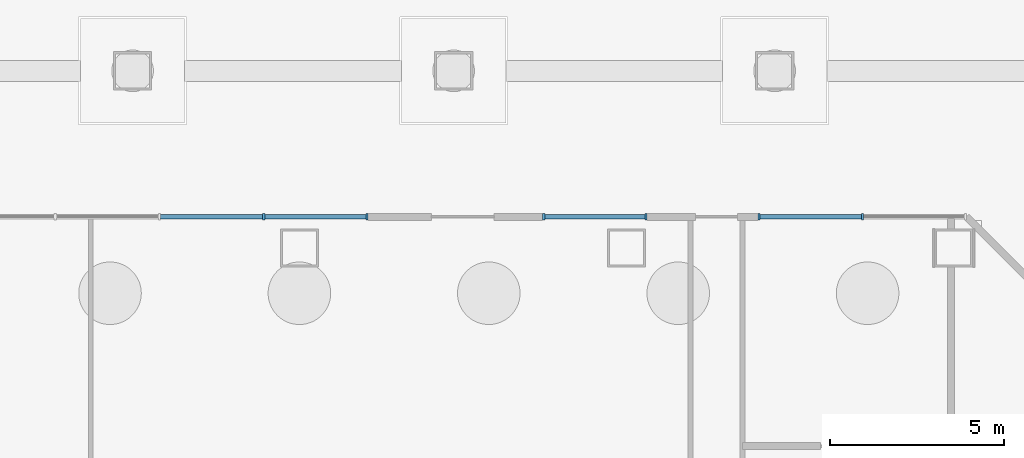
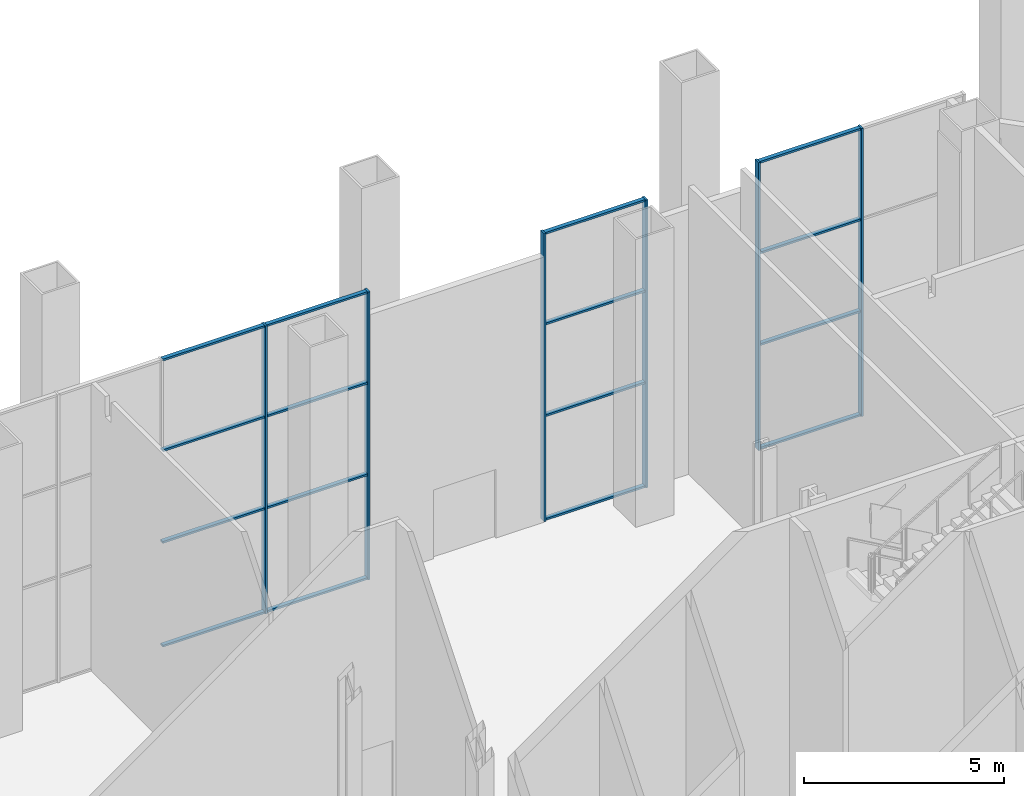
# One storey, part 16 of 38: 22 members, 3 elements without a shape of their own.
"""IFC4 building model written with IfcOpenShell, lengths in metres."""

import ifcopenshell
import ifcopenshell.guid

model = None  # the IFC model being written
_history = None  # IfcOwnerHistory: only IFC2X3 demands one
_inside = {}  # id of a spatial element -> (the spatial element, [elements in it])
_under = {}  # id of a project, library or spatial element -> (it, [spatial elements below it])
_declared = {}  # id of a project -> (the project, [libraries it declares])
_typed = {}  # id of a type object -> (the type object, [elements of that type])
_made_of = {}  # id of a material, layer set ... -> (it, [elements and type objects made of it])


def new_model(schema):
    """Start an empty IFC model of exactly this schema.

    Asked for "IFC4X3", IfcOpenShell would pick the latest addendum, in which some entities
    have other attributes; the version numbers below select the first issue.
    IFC2X3 requires an IfcOwnerHistory on every rooted entity: one is made here for all.
    """
    global model, _history
    if schema == "IFC4X3":
        model = ifcopenshell.file(schema_version=(4, 3, 0, 0))
    else:
        model = ifcopenshell.file(schema=schema)
    _inside.clear()
    _under.clear()
    _declared.clear()
    _typed.clear()
    _made_of.clear()
    _history = None
    if model.schema == "IFC2X3":
        org = make("IfcOrganization", Name="unknown")
        user = make(
            "IfcPersonAndOrganization",
            ThePerson=make("IfcPerson", FamilyName="unknown"),
            TheOrganization=org,
        )
        app = make(
            "IfcApplication",
            ApplicationDeveloper=org,
            Version="unknown",
            ApplicationFullName="unknown",
            ApplicationIdentifier="unknown",
        )
        _history = make(
            "IfcOwnerHistory",
            OwningUser=user,
            OwningApplication=app,
            ChangeAction="ADDED",
            CreationDate=0,
        )
    return model


def make(cls, **values):
    """One entity of the class cls with the attributes given. An attribute that is None is left unset."""
    return model.create_entity(
        cls, **{name: value for name, value in values.items() if value is not None}
    )


def rooted(cls, **values):
    """An entity with a GlobalId (a new one), such as an element, a storey or a relation."""
    return make(cls, GlobalId=ifcopenshell.guid.new(), OwnerHistory=_history, **values)


def si_unit(unit_type, name, prefix=None):
    """IfcSIUnit, for example si_unit("LENGTHUNIT", "METRE", prefix="MILLI")."""
    return make("IfcSIUnit", UnitType=unit_type, Prefix=prefix, Name=name)


def assignment(units):
    """IfcUnitAssignment: the units of a project."""
    return None if units is None else make("IfcUnitAssignment", Units=units)


def point(xyz):
    """IfcCartesianPoint."""
    return None if xyz is None else make("IfcCartesianPoint", Coordinates=xyz)


def direction(xyz):
    """IfcDirection."""
    return None if xyz is None else make("IfcDirection", DirectionRatios=xyz)


def frame(location, z_axis=None, x_axis=None):
    """IfcAxis2Placement3D, a coordinate frame: its origin and axes. An axis left out is left unset."""
    return make(
        "IfcAxis2Placement3D",
        Location=point(location),
        Axis=direction(z_axis),
        RefDirection=direction(x_axis),
    )


def frame_2d(location, x_axis=None):
    """IfcAxis2Placement2D, a coordinate frame in the plane: its origin and x axis."""
    return make(
        "IfcAxis2Placement2D", Location=point(location), RefDirection=direction(x_axis)
    )


def origin():
    """The frame at (0, 0, 0) with its axes left unset."""
    return frame((0.0, 0.0, 0.0))


def origin_2d():
    """The frame at (0, 0) in the plane with its x axis left unset."""
    return frame_2d((0.0, 0.0))


def place(relative_to, where):
    """IfcLocalPlacement: puts the frame where relative to a parent placement (None: the world)."""
    return make(
        "IfcLocalPlacement", PlacementRelTo=relative_to, RelativePlacement=where
    )


def context(
    kind, dimensions, precision=None, world=None, true_north=None, identifier=None
):
    """IfcGeometricRepresentationContext, for example the 3D "Model" context."""
    return make(
        "IfcGeometricRepresentationContext",
        ContextIdentifier=identifier,
        ContextType=kind,
        CoordinateSpaceDimension=dimensions,
        Precision=precision,
        WorldCoordinateSystem=world,
        TrueNorth=true_north,
    )


def subcontext(parent, identifier, kind, view, scale=None):
    """IfcGeometricRepresentationSubContext, for example "Body" below "Model"."""
    return make(
        "IfcGeometricRepresentationSubContext",
        ContextIdentifier=identifier,
        ContextType=kind,
        ParentContext=parent,
        TargetScale=scale,
        TargetView=view,
    )


def project(units=None, contexts=None):
    """IfcProject with its units and contexts."""
    return rooted(
        "IfcProject",
        Name="project",
        RepresentationContexts=contexts,
        UnitsInContext=assignment(units),
    )


def spatial(cls, under=None, at=None, **own):
    """A site, building, storey or space (cls), placed at a placement, below another one or the project."""
    s = rooted(cls, ObjectPlacement=at, **own)
    if under is not None:
        _under.setdefault(under.id(), (under, []))[1].append(s)
    return s


def profile(cls, at=None, kind="AREA", **sizes):
    """A parametric profile (cls). Its sizes go by their IFC names, for example OverallWidth=200.0."""
    return make(cls, ProfileType=kind, Position=at, **sizes)


def rectangle(**sizes):
    """IfcRectangleProfileDef."""
    return profile("IfcRectangleProfileDef", **sizes)


def extrude(swept, where, along, depth):
    """IfcExtrudedAreaSolid: the profile swept, set in the frame where, extruded along a direction by depth."""
    return make(
        "IfcExtrudedAreaSolid",
        SweptArea=swept,
        Position=where,
        ExtrudedDirection=direction(along),
        Depth=depth,
    )


def shape(context_of_items, identifier, shape_type, items):
    """IfcShapeRepresentation: the items that make up one representation, for example the "Body"."""
    return make(
        "IfcShapeRepresentation",
        ContextOfItems=context_of_items,
        RepresentationIdentifier=identifier,
        RepresentationType=shape_type,
        Items=items,
    )


def material(Name=None, Category=None):
    """IfcMaterial."""
    return make("IfcMaterial", Name=Name, Category=Category)


def material_profile(
    of_material, cross_section, Name=None, Category=None, Priority=None
):
    """IfcMaterialProfile: a cross section and its material."""
    return make(
        "IfcMaterialProfile",
        Name=Name,
        Material=of_material,
        Profile=cross_section,
        Priority=Priority,
        Category=Category,
    )


def profile_set(profiles, Name=None, composite=None):
    """IfcMaterialProfileSet."""
    return make(
        "IfcMaterialProfileSet",
        Name=Name,
        MaterialProfiles=profiles,
        CompositeProfile=composite,
    )


def made_of(thing, what):
    """Note that an element or type object is made of a material, layer set ...; save() writes the relation."""
    if what is not None:
        _made_of.setdefault(what.id(), (what, []))[1].append(thing)
    return thing


def type_object(cls, material=None, **own):
    """A type object (cls), such as IfcWallType, which elements share."""
    return made_of(rooted(cls, **own), material)


def element(
    cls,
    number,
    at=None,
    inside=None,
    cuts=None,
    type_object=None,
    material=None,
    context=None,
    identifier="Body",
    shape_type=None,
    held_by="IfcProductDefinitionShape",
    body=None,
    shapes=None,
    **own,
):
    """One element of the class cls, such as IfcWall. Its Tag is "e" and its number.

    at: its placement. inside: the storey or other place that contains it. cuts: it is an
    opening in that element (IfcRelVoidsElement). A single representation is given by context,
    identifier, shape_type and body (its items); several are given by shapes. held_by: the class
    of the entity that holds the representations. save() writes the other relations.
    """
    e = rooted(cls, Tag="e%d" % number, ObjectPlacement=at, **own)
    if body is not None:
        shapes = [shape(context, identifier, shape_type, body)]
    if shapes is not None:
        e.Representation = make(held_by, Representations=shapes)
    if inside is not None:
        _inside.setdefault(inside.id(), (inside, []))[1].append(e)
    if cuts is not None:
        rooted(
            "IfcRelVoidsElement", RelatingBuildingElement=cuts, RelatedOpeningElement=e
        )
    if type_object is not None:
        _typed.setdefault(type_object.id(), (type_object, []))[1].append(e)
    return made_of(e, material)


def aggregate(whole, parts):
    """IfcRelAggregates: a whole, such as a stair, and the parts it consists of."""
    return rooted("IfcRelAggregates", RelatingObject=whole, RelatedObjects=parts)


def save(model, path):
    """Write the relations noted so far, then the file.

    IfcRelAggregates (storeys below a building ...), IfcRelContainedInSpatialStructure (elements
    in a storey), IfcRelDefinesByType, IfcRelAssociatesMaterial and IfcRelDeclares: one each for
    every whole, place, type object, material and project.
    """
    for whole, parts in _under.values():
        aggregate(whole, parts)
    for where, things in _inside.values():
        rooted(
            "IfcRelContainedInSpatialStructure",
            RelatedElements=things,
            RelatingStructure=where,
        )
    for kind, things in _typed.values():
        rooted("IfcRelDefinesByType", RelatedObjects=things, RelatingType=kind)
    for what, things in _made_of.values():
        rooted("IfcRelAssociatesMaterial", RelatedObjects=things, RelatingMaterial=what)
    for by, libraries in _declared.values():
        rooted("IfcRelDeclares", RelatingContext=by, RelatedDefinitions=libraries)
    model.write(path)


model = new_model("IFC4")

# Units and contexts
model_context = context("Model", 3, precision=1e-05, world=origin(), true_north=direction((0.0, 1.0)))
body_context = subcontext(model_context, "Body", "Model", "MODEL_VIEW")
ifc_project = project(units=[si_unit("LENGTHUNIT", "METRE"), si_unit("AREAUNIT", "SQUARE_METRE"), si_unit("VOLUMEUNIT", "CUBIC_METRE"), si_unit("PLANEANGLEUNIT", "RADIAN"), si_unit("MASSUNIT", "GRAM", prefix="KILO")], contexts=[model_context])

# Site, building, storey
site_placement = place(None, origin())
site = spatial("IfcSite", under=ifc_project, at=site_placement, CompositionType="ELEMENT")
building_placement = place(site_placement, origin())
building = spatial("IfcBuilding", under=site, at=building_placement, Name="Cairn Pilgrim Tower", CompositionType="ELEMENT")
storey_placement = place(building_placement, origin())
storey = spatial("IfcBuildingStorey", under=building, at=storey_placement, Name="L00", CompositionType="ELEMENT", Elevation=0.0)

# Curtain wall, members
ifc_material_1 = material(Name="Bronze anodised aluminium with Tinted laminated low-E glass", Category="aluminium")
curtain_wall_type = type_object("IfcCurtainWallType", Name="PAVILION CW", PredefinedType="NOTDEFINED", material=ifc_material_1)
curtain_wall_1_placement = place(storey_placement, origin())
curtain_wall_1 = element("IfcCurtainWall", 1, at=curtain_wall_1_placement, inside=storey, type_object=curtain_wall_type, Name="PAVILION CW 4.1", PredefinedType="NOTDEFINED")
ifc_material_2 = material(Name="Bronze anodised aluminium", Category="aluminium")
ifc_material_profile_1 = material_profile(ifc_material_2, rectangle(XDim=0.179931640625, YDim=0.06005859375, at=origin_2d()), Name="PAVILION MULLION 60x180 BRONZE")
ifc_profile_set_1 = profile_set([ifc_material_profile_1], Name="Bronze anodised aluminium")
member_type_1 = type_object("IfcMemberType", Name="PAVILION MULLION 60x180 BRONZE", PredefinedType="MULLION", material=ifc_profile_set_1)
member_1_placement = place(storey_placement, frame((16.199951171875, 24.0, 0.0), z_axis=(0.0, 0.0, 1.0), x_axis=(0.0, -1.0, 0.0)))
member_1 = element("IfcMember", 2, at=member_1_placement, type_object=member_type_1, Name="PCW-41 mullion 2", PredefinedType="MULLION", context=body_context, shape_type="SweptSolid", body=[
    extrude(rectangle(XDim=0.179931640625, YDim=0.06005859375, at=origin_2d()), origin(), (0.0, 0.0, 1.0), 8.800048828125),
])
member_2_placement = place(storey_placement, frame((13.22998046875, 24.0, 0.0), z_axis=(0.0, 0.0, 1.0), x_axis=(0.0, -1.0, 0.0)))
member_2 = element("IfcMember", 3, at=member_2_placement, type_object=member_type_1, Name="PCW-41 mullion 3", PredefinedType="MULLION", context=body_context, shape_type="SweptSolid", body=[
    extrude(rectangle(XDim=0.179931640625, YDim=0.06005859375, at=origin_2d()), origin(), (0.0, 0.0, 1.0), 8.800048828125),
])

curtain_wall_2_placement = place(storey_placement, origin())
curtain_wall_2 = element("IfcCurtainWall", 4, at=curtain_wall_2_placement, inside=storey, type_object=curtain_wall_type, Name="PAVILION CW 4.3", PredefinedType="NOTDEFINED")
member_3_placement = place(storey_placement, frame((9.969970703125, 24.0, 0.0), z_axis=(0.0, 0.0, 1.0), x_axis=(0.0, -1.0, 0.0)))
member_3 = element("IfcMember", 5, at=member_3_placement, type_object=member_type_1, Name="PCW-43 mullion 1", PredefinedType="MULLION", context=body_context, shape_type="SweptSolid", body=[
    extrude(rectangle(XDim=0.179931640625, YDim=0.06005859375, at=origin_2d()), origin(), (0.0, 0.0, 1.0), 8.800048828125),
])
member_4_placement = place(storey_placement, frame((7.030029296875, 24.0, 0.0), z_axis=(0.0, 0.0, 1.0), x_axis=(0.0, -1.0, 0.0)))
member_4 = element("IfcMember", 6, at=member_4_placement, type_object=member_type_1, Name="PCW-43 mullion 2", PredefinedType="MULLION", context=body_context, shape_type="SweptSolid", body=[
    extrude(rectangle(XDim=0.179931640625, YDim=0.06005859375, at=origin_2d()), origin(), (0.0, 0.0, 1.0), 8.800048828125),
])

curtain_wall_3_placement = place(storey_placement, origin())
curtain_wall_3 = element("IfcCurtainWall", 7, at=curtain_wall_3_placement, inside=storey, type_object=curtain_wall_type, Name="PAVILION CW 4.5", PredefinedType="NOTDEFINED")
member_5_placement = place(storey_placement, frame((1.945068359375, 24.0, 0.0), z_axis=(0.0, 0.0, 1.0), x_axis=(0.0, -1.0, 0.0)))
member_5 = element("IfcMember", 8, at=member_5_placement, type_object=member_type_1, Name="PCW-45 mullion 1", PredefinedType="MULLION", context=body_context, shape_type="SweptSolid", body=[
    extrude(rectangle(XDim=0.179931640625, YDim=0.06005859375, at=origin_2d()), origin(), (0.0, 0.0, 1.0), 8.800048828125),
])
member_6_placement = place(storey_placement, frame((-1.02490234375, 24.0, 0.0), z_axis=(0.0, 0.0, 1.0), x_axis=(0.0, -1.0, 0.0)))
member_6 = element("IfcMember", 9, at=member_6_placement, type_object=member_type_1, Name="PCW-45 mullion 2", PredefinedType="MULLION", context=body_context, shape_type="SweptSolid", body=[
    extrude(rectangle(XDim=0.179931640625, YDim=0.06005859375, at=origin_2d()), origin(), (0.0, 0.0, 1.0), 8.800048828125),
])

# Member
ifc_material_profile_2 = material_profile(ifc_material_2, rectangle(XDim=0.1201171875, YDim=0.06005859375, at=origin_2d()), Name="PAVILION TRANSOM 60x120 BRONZE")
ifc_profile_set_2 = profile_set([ifc_material_profile_2], Name="Bronze anodised aluminium")
member_type_2 = type_object("IfcMemberType", Name="PAVILION TRANSOM 60x120 BRONZE", PredefinedType="USERDEFINED", material=ifc_profile_set_2)
member_7_placement = place(storey_placement, frame((16.169921875, 24.0, 0.030029296875), z_axis=(-1.0, 0.0, 0.0), x_axis=(0.0, -1.0, 0.0)))
member_7 = element("IfcMember", 10, at=member_7_placement, type_object=member_type_2, Name="PCW-41 transom 2.1", ObjectType="TRANSOM", PredefinedType="USERDEFINED", context=body_context, shape_type="SweptSolid", body=[
    extrude(rectangle(XDim=0.1201171875, YDim=0.06005859375, at=origin_2d()), origin(), (0.0, 0.0, 1.0), 2.909912109375),
])

member_8_placement = place(storey_placement, frame((16.169921875, 24.0, 3.199951171875), z_axis=(-1.0, 0.0, 0.0), x_axis=(0.0, -1.0, 0.0)))
member_8 = element("IfcMember", 11, at=member_8_placement, type_object=member_type_2, Name="PCW-41 transom 2.2", ObjectType="TRANSOM", PredefinedType="USERDEFINED", context=body_context, shape_type="SweptSolid", body=[
    extrude(rectangle(XDim=0.1201171875, YDim=0.06005859375, at=origin_2d()), origin(), (0.0, 0.0, 1.0), 2.909912109375),
])

member_9_placement = place(storey_placement, frame((16.169921875, 24.0, 6.0), z_axis=(-1.0, 0.0, 0.0), x_axis=(0.0, -1.0, 0.0)))
member_9 = element("IfcMember", 12, at=member_9_placement, type_object=member_type_2, Name="PCW-41 transom 2.3", ObjectType="TRANSOM", PredefinedType="USERDEFINED", context=body_context, shape_type="SweptSolid", body=[
    extrude(rectangle(XDim=0.1201171875, YDim=0.06005859375, at=origin_2d()), origin(), (0.0, 0.0, 1.0), 2.909912109375),
])

member_10_placement = place(storey_placement, frame((16.169921875, 24.0, 8.77001953125), z_axis=(-1.0, 0.0, 0.0), x_axis=(0.0, -1.0, 0.0)))
member_10 = element("IfcMember", 13, at=member_10_placement, type_object=member_type_2, Name="PCW-41 transom 2.4", ObjectType="TRANSOM", PredefinedType="USERDEFINED", context=body_context, shape_type="SweptSolid", body=[
    extrude(rectangle(XDim=0.1201171875, YDim=0.06005859375, at=origin_2d()), origin(), (0.0, 0.0, 1.0), 2.909912109375),
])

aggregate(curtain_wall_1, [member_1, member_2, member_7, member_8, member_9, member_10])

member_11_placement = place(storey_placement, frame((9.93994140625, 24.0, 0.030029296875), z_axis=(-1.0, 0.0, 0.0), x_axis=(0.0, -1.0, 0.0)))
member_11 = element("IfcMember", 14, at=member_11_placement, type_object=member_type_2, Name="PCW-43 transom 1.1", ObjectType="TRANSOM", PredefinedType="USERDEFINED", context=body_context, shape_type="SweptSolid", body=[
    extrude(rectangle(XDim=0.1201171875, YDim=0.06005859375, at=origin_2d()), origin(), (0.0, 0.0, 1.0), 2.8798828125),
])

member_12_placement = place(storey_placement, frame((9.93994140625, 24.0, 3.199951171875), z_axis=(-1.0, 0.0, 0.0), x_axis=(0.0, -1.0, 0.0)))
member_12 = element("IfcMember", 15, at=member_12_placement, type_object=member_type_2, Name="PCW-43 transom 1.2", ObjectType="TRANSOM", PredefinedType="USERDEFINED", context=body_context, shape_type="SweptSolid", body=[
    extrude(rectangle(XDim=0.1201171875, YDim=0.06005859375, at=origin_2d()), origin(), (0.0, 0.0, 1.0), 2.8798828125),
])

member_13_placement = place(storey_placement, frame((9.93994140625, 24.0, 6.0), z_axis=(-1.0, 0.0, 0.0), x_axis=(0.0, -1.0, 0.0)))
member_13 = element("IfcMember", 16, at=member_13_placement, type_object=member_type_2, Name="PCW-43 transom 1.3", ObjectType="TRANSOM", PredefinedType="USERDEFINED", context=body_context, shape_type="SweptSolid", body=[
    extrude(rectangle(XDim=0.1201171875, YDim=0.06005859375, at=origin_2d()), origin(), (0.0, 0.0, 1.0), 2.8798828125),
])

member_14_placement = place(storey_placement, frame((9.93994140625, 24.0, 8.77001953125), z_axis=(-1.0, 0.0, 0.0), x_axis=(0.0, -1.0, 0.0)))
member_14 = element("IfcMember", 17, at=member_14_placement, type_object=member_type_2, Name="PCW-43 transom 1.4", ObjectType="TRANSOM", PredefinedType="USERDEFINED", context=body_context, shape_type="SweptSolid", body=[
    extrude(rectangle(XDim=0.1201171875, YDim=0.06005859375, at=origin_2d()), origin(), (0.0, 0.0, 1.0), 2.8798828125),
])

aggregate(curtain_wall_2, [member_3, member_4, member_11, member_12, member_13, member_14])

member_15_placement = place(storey_placement, frame((1.9150390625, 24.0, 0.030029296875), z_axis=(-1.0, 0.0, 0.0), x_axis=(0.0, -1.0, 0.0)))
member_15 = element("IfcMember", 18, at=member_15_placement, type_object=member_type_2, Name="PCW-45 transom 1.1", ObjectType="TRANSOM", PredefinedType="USERDEFINED", context=body_context, shape_type="SweptSolid", body=[
    extrude(rectangle(XDim=0.1201171875, YDim=0.06005859375, at=origin_2d()), origin(), (0.0, 0.0, 1.0), 2.91015625),
])

member_16_placement = place(storey_placement, frame((1.9150390625, 24.0, 3.199951171875), z_axis=(-1.0, 0.0, 0.0), x_axis=(0.0, -1.0, 0.0)))
member_16 = element("IfcMember", 19, at=member_16_placement, type_object=member_type_2, Name="PCW-45 transom 1.2", ObjectType="TRANSOM", PredefinedType="USERDEFINED", context=body_context, shape_type="SweptSolid", body=[
    extrude(rectangle(XDim=0.1201171875, YDim=0.06005859375, at=origin_2d()), origin(), (0.0, 0.0, 1.0), 2.91015625),
])

member_17_placement = place(storey_placement, frame((1.9150390625, 24.0, 6.0), z_axis=(-1.0, 0.0, 0.0), x_axis=(0.0, -1.0, 0.0)))
member_17 = element("IfcMember", 20, at=member_17_placement, type_object=member_type_2, Name="PCW-45 transom 1.3", ObjectType="TRANSOM", PredefinedType="USERDEFINED", context=body_context, shape_type="SweptSolid", body=[
    extrude(rectangle(XDim=0.1201171875, YDim=0.06005859375, at=origin_2d()), origin(), (0.0, 0.0, 1.0), 2.91015625),
])

member_18_placement = place(storey_placement, frame((1.9150390625, 24.0, 8.77001953125), z_axis=(-1.0, 0.0, 0.0), x_axis=(0.0, -1.0, 0.0)))
member_18 = element("IfcMember", 21, at=member_18_placement, type_object=member_type_2, Name="PCW-45 transom 1.4", ObjectType="TRANSOM", PredefinedType="USERDEFINED", context=body_context, shape_type="SweptSolid", body=[
    extrude(rectangle(XDim=0.1201171875, YDim=0.06005859375, at=origin_2d()), origin(), (0.0, 0.0, 1.0), 2.91015625),
])

member_19_placement = place(storey_placement, frame((-1.054931640625, 24.0, 0.030029296875), z_axis=(-1.0, 0.0, 0.0), x_axis=(0.0, -1.0, 0.0)))
member_19 = element("IfcMember", 22, at=member_19_placement, type_object=member_type_2, Name="PCW-45 transom 2.1", ObjectType="TRANSOM", PredefinedType="USERDEFINED", context=body_context, shape_type="SweptSolid", body=[
    extrude(rectangle(XDim=0.1201171875, YDim=0.06005859375, at=origin_2d()), origin(), (0.0, 0.0, 1.0), 2.940185546875),
])

member_20_placement = place(storey_placement, frame((-1.054931640625, 24.0, 3.199951171875), z_axis=(-1.0, 0.0, 0.0), x_axis=(0.0, -1.0, 0.0)))
member_20 = element("IfcMember", 23, at=member_20_placement, type_object=member_type_2, Name="PCW-45 transom 2.2", ObjectType="TRANSOM", PredefinedType="USERDEFINED", context=body_context, shape_type="SweptSolid", body=[
    extrude(rectangle(XDim=0.1201171875, YDim=0.06005859375, at=origin_2d()), origin(), (0.0, 0.0, 1.0), 2.940185546875),
])

member_21_placement = place(storey_placement, frame((-1.054931640625, 24.0, 6.0), z_axis=(-1.0, 0.0, 0.0), x_axis=(0.0, -1.0, 0.0)))
member_21 = element("IfcMember", 24, at=member_21_placement, type_object=member_type_2, Name="PCW-45 transom 2.3", ObjectType="TRANSOM", PredefinedType="USERDEFINED", context=body_context, shape_type="SweptSolid", body=[
    extrude(rectangle(XDim=0.1201171875, YDim=0.06005859375, at=origin_2d()), origin(), (0.0, 0.0, 1.0), 2.940185546875),
])

member_22_placement = place(storey_placement, frame((-1.054931640625, 24.0, 8.77001953125), z_axis=(-1.0, 0.0, 0.0), x_axis=(0.0, -1.0, 0.0)))
member_22 = element("IfcMember", 25, at=member_22_placement, type_object=member_type_2, Name="PCW-45 transom 2.4", ObjectType="TRANSOM", PredefinedType="USERDEFINED", context=body_context, shape_type="SweptSolid", body=[
    extrude(rectangle(XDim=0.1201171875, YDim=0.06005859375, at=origin_2d()), origin(), (0.0, 0.0, 1.0), 2.940185546875),
])

aggregate(curtain_wall_3, [member_5, member_6, member_15, member_16, member_17, member_18, member_19, member_20, member_21, member_22])

save(model, "model.ifc")
